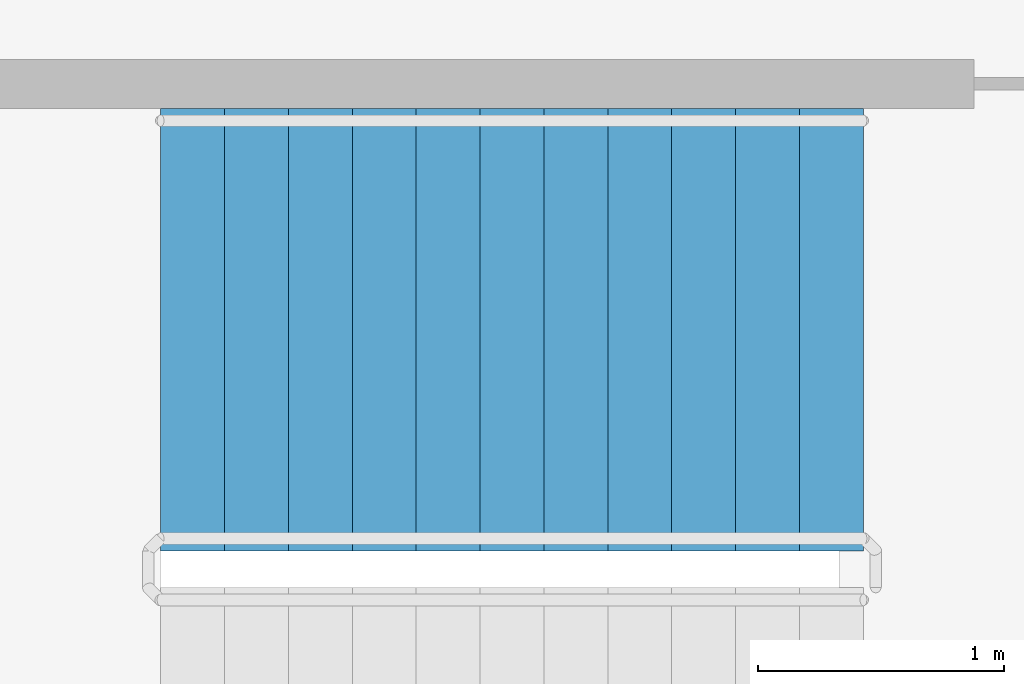
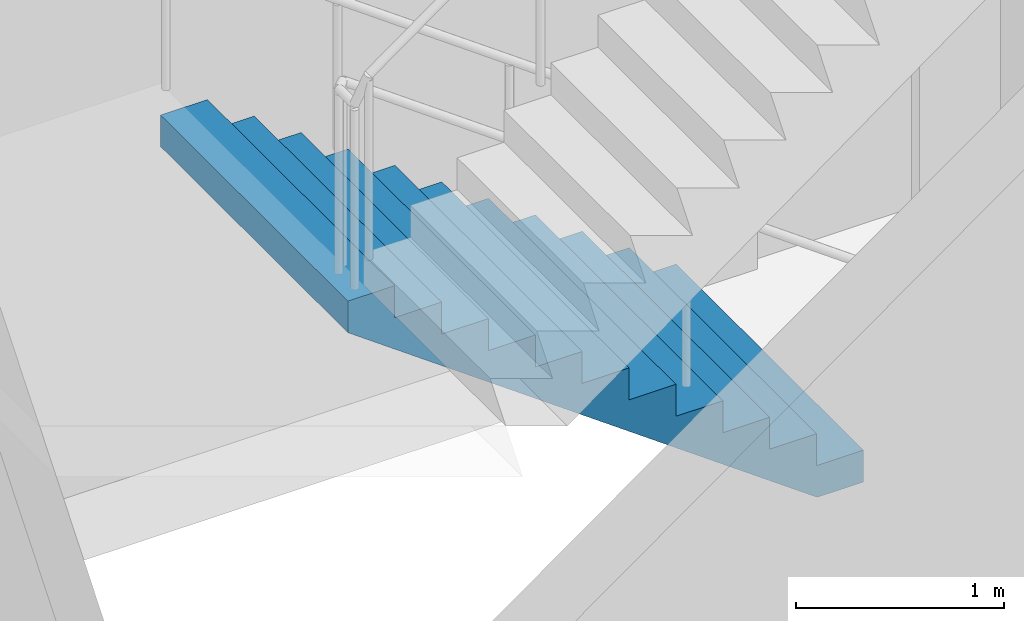
# One storey, part 42 of 51: 1 stair flight, 1 element without a shape of its own.
"""IFC4 building model written with IfcOpenShell, lengths in metres."""

from ifc_helpers import new_model, si_unit, direction, frame, origin, place, context, subcontext, project, spatial, faceted_brep, material, type_object, element, aggregate, save


model = new_model("IFC4")

# Units and contexts
model_context = context("Model", 3, precision=1e-05, world=origin(), true_north=direction((0.0, 1.0)))
body_context = subcontext(model_context, "Body", "Model", "MODEL_VIEW")
ifc_project = project(units=[si_unit("LENGTHUNIT", "METRE"), si_unit("AREAUNIT", "SQUARE_METRE"), si_unit("VOLUMEUNIT", "CUBIC_METRE"), si_unit("PLANEANGLEUNIT", "RADIAN"), si_unit("MASSUNIT", "GRAM", prefix="KILO")], contexts=[model_context])

# Site, building, storey
site_placement = place(None, origin())
site = spatial("IfcSite", under=ifc_project, at=site_placement, CompositionType="ELEMENT")
building_placement = place(site_placement, origin())
building = spatial("IfcBuilding", under=site, at=building_placement, Name="Ipe Terrace Towers", CompositionType="ELEMENT")
storey_placement = place(building_placement, frame((0.0, 0.0, 15.5)))
storey = spatial("IfcBuildingStorey", under=building, at=storey_placement, Name="L03", CompositionType="ELEMENT", Elevation=15.5)

# Stair, stair flight
ifc_material_1 = material(Name="Concrete C30/37", Category="concrete")
stair_type = type_object("IfcStairType", Name="Protected exit stair", PredefinedType="HALF_TURN_STAIR", material=ifc_material_1)
stair_placement = place(storey_placement, origin())
stair = element("IfcStair", 1, at=stair_placement, inside=storey, type_object=stair_type, Name="L03 Podium exit stair PS2", PredefinedType="HALF_TURN_STAIR")
ifc_material_2 = material(Name="Concrete C30/37", Category="concrete")
stair_flight_type = type_object("IfcStairFlightType", Name="Exit stair flight 1800", PredefinedType="STRAIGHT", material=ifc_material_2)
stair_flight_placement = place(storey_placement, frame((-0.75, 25.5, 0.0), z_axis=(0.0, 0.0, 1.0), x_axis=(-1.0, 0.0, 0.0)))
stair_flight = element("IfcStairFlight", 2, at=stair_flight_placement, type_object=stair_flight_type, Name="PS2 flight 1", NumberOfRisers=12, NumberOfTreads=11, PredefinedType="STRAIGHT", RiserHeight=0.1875, TreadLength=0.26, context=body_context, shape_type="Brep", body=[
    faceted_brep([(0.25634765625, -0.89990234375, 0.0), (2.860107421875, -0.89990234375, 1.877685546875), (2.860107421875, -0.89990234375, 2.0625), (2.60009765625, -0.89990234375, 2.0625), (2.60009765625, -0.89990234375, 1.875), (2.340087890625, -0.89990234375, 1.875), (2.340087890625, -0.89990234375, 1.6875), (2.080078125, -0.89990234375, 1.6875), (2.080078125, -0.89990234375, 1.5), (1.820068359375, -0.89990234375, 1.5), (1.820068359375, -0.89990234375, 1.3125), (1.56005859375, -0.89990234375, 1.3125), (1.56005859375, -0.89990234375, 1.125), (1.300048828125, -0.89990234375, 1.125), (1.300048828125, -0.89990234375, 0.9375), (1.0400390625, -0.89990234375, 0.9375), (1.0400390625, -0.89990234375, 0.75), (0.780029296875, -0.89990234375, 0.75), (0.780029296875, -0.89990234375, 0.5625), (0.52001953125, -0.89990234375, 0.5625), (0.52001953125, -0.89990234375, 0.375), (0.260009765625, -0.89990234375, 0.375), (0.260009765625, -0.89990234375, 0.1875), (0.0, -0.89990234375, 0.1875), (0.0, -0.89990234375, 0.0), (0.0, 0.89990234375, 0.0), (0.0, 0.89990234375, 0.1875), (0.260009765625, 0.89990234375, 0.1875), (0.260009765625, 0.89990234375, 0.375), (0.52001953125, 0.89990234375, 0.375), (0.52001953125, 0.89990234375, 0.5625), (0.780029296875, 0.89990234375, 0.5625), (0.780029296875, 0.89990234375, 0.75), (1.0400390625, 0.89990234375, 0.75), (1.0400390625, 0.89990234375, 0.9375), (1.300048828125, 0.89990234375, 0.9375), (1.300048828125, 0.89990234375, 1.125), (1.56005859375, 0.89990234375, 1.125), (1.56005859375, 0.89990234375, 1.3125), (1.820068359375, 0.89990234375, 1.3125), (1.820068359375, 0.89990234375, 1.5), (2.080078125, 0.89990234375, 1.5), (2.080078125, 0.89990234375, 1.6875), (2.340087890625, 0.89990234375, 1.6875), (2.340087890625, 0.89990234375, 1.875), (2.60009765625, 0.89990234375, 1.875), (2.60009765625, 0.89990234375, 2.0625), (2.860107421875, 0.89990234375, 2.0625), (2.860107421875, 0.89990234375, 1.877685546875), (0.25634765625, 0.89990234375, 0.0), (0.0, -0.300048828125, 0.1875), (0.0, -0.1201171875, 0.1875), (0.0, -0.06005859375, 0.1875), (0.0, -0.030029296875, 0.1875), (0.0, -0.010009765625, 0.1875), (0.0, 0.0, 0.1875), (0.0, 0.010009765625, 0.1875), (0.0, 0.030029296875, 0.1875), (0.0, 0.06005859375, 0.1875), (0.0, 0.1201171875, 0.1875), (0.0, 0.300048828125, 0.1875), (0.0, 0.300048828125, 0.0), (0.0, 0.1201171875, 0.0), (0.0, 0.06005859375, 0.0), (0.0, 0.030029296875, 0.0), (0.0, 0.010009765625, 0.0), (0.0, 0.0, 0.0), (0.0, -0.010009765625, 0.0), (0.0, -0.030029296875, 0.0), (0.0, -0.06005859375, 0.0), (0.0, -0.1201171875, 0.0), (0.0, -0.300048828125, 0.0), (0.260009765625, -0.300048828125, 0.1875), (0.260009765625, -0.1201171875, 0.1875), (0.260009765625, -0.06005859375, 0.1875), (0.260009765625, -0.030029296875, 0.1875), (0.260009765625, -0.010009765625, 0.1875), (0.260009765625, 0.0, 0.1875), (0.260009765625, 0.010009765625, 0.1875), (0.260009765625, 0.030029296875, 0.1875), (0.260009765625, 0.06005859375, 0.1875), (0.260009765625, 0.1201171875, 0.1875), (0.260009765625, 0.300048828125, 0.1875), (0.260009765625, -0.300048828125, 0.375), (0.260009765625, -0.1201171875, 0.375), (0.260009765625, -0.06005859375, 0.375), (0.260009765625, -0.030029296875, 0.375), (0.260009765625, -0.010009765625, 0.375), (0.260009765625, 0.0, 0.375), (0.260009765625, 0.010009765625, 0.375), (0.260009765625, 0.030029296875, 0.375), (0.260009765625, 0.06005859375, 0.375), (0.260009765625, 0.1201171875, 0.375), (0.260009765625, 0.300048828125, 0.375), (0.52001953125, -0.300048828125, 0.375), (0.52001953125, -0.1201171875, 0.375), (0.52001953125, -0.06005859375, 0.375), (0.52001953125, -0.030029296875, 0.375), (0.52001953125, -0.010009765625, 0.375), (0.52001953125, 0.0, 0.375), (0.52001953125, 0.010009765625, 0.375), (0.52001953125, 0.030029296875, 0.375), (0.52001953125, 0.06005859375, 0.375), (0.52001953125, 0.1201171875, 0.375), (0.52001953125, 0.300048828125, 0.375), (0.52001953125, -0.300048828125, 0.5625), (0.52001953125, -0.1201171875, 0.5625), (0.52001953125, -0.06005859375, 0.5625), (0.52001953125, -0.030029296875, 0.5625), (0.52001953125, -0.010009765625, 0.5625), (0.52001953125, 0.0, 0.5625), (0.52001953125, 0.010009765625, 0.5625), (0.52001953125, 0.030029296875, 0.5625), (0.52001953125, 0.06005859375, 0.5625), (0.52001953125, 0.1201171875, 0.5625), (0.52001953125, 0.300048828125, 0.5625), (0.780029296875, -0.300048828125, 0.5625), (0.780029296875, -0.1201171875, 0.5625), (0.780029296875, -0.06005859375, 0.5625), (0.780029296875, -0.030029296875, 0.5625), (0.780029296875, -0.010009765625, 0.5625), (0.780029296875, 0.0, 0.5625), (0.780029296875, 0.010009765625, 0.5625), (0.780029296875, 0.030029296875, 0.5625), (0.780029296875, 0.06005859375, 0.5625), (0.780029296875, 0.1201171875, 0.5625), (0.780029296875, 0.300048828125, 0.5625), (0.780029296875, -0.300048828125, 0.75), (0.780029296875, -0.1201171875, 0.75), (0.780029296875, -0.06005859375, 0.75), (0.780029296875, -0.030029296875, 0.75), (0.780029296875, -0.010009765625, 0.75), (0.780029296875, 0.0, 0.75), (0.780029296875, 0.010009765625, 0.75), (0.780029296875, 0.030029296875, 0.75), (0.780029296875, 0.06005859375, 0.75), (0.780029296875, 0.1201171875, 0.75), (0.780029296875, 0.300048828125, 0.75), (1.0400390625, -0.300048828125, 0.75), (1.0400390625, -0.1201171875, 0.75), (1.0400390625, -0.06005859375, 0.75), (1.0400390625, -0.030029296875, 0.75), (1.0400390625, -0.010009765625, 0.75), (1.0400390625, 0.0, 0.75), (1.0400390625, 0.010009765625, 0.75), (1.0400390625, 0.030029296875, 0.75), (1.0400390625, 0.06005859375, 0.75), (1.0400390625, 0.1201171875, 0.75), (1.0400390625, 0.300048828125, 0.75), (1.0400390625, -0.300048828125, 0.9375), (1.0400390625, -0.1201171875, 0.9375), (1.0400390625, -0.06005859375, 0.9375), (1.0400390625, -0.030029296875, 0.9375), (1.0400390625, -0.010009765625, 0.9375), (1.0400390625, 0.0, 0.9375), (1.0400390625, 0.010009765625, 0.9375), (1.0400390625, 0.030029296875, 0.9375), (1.0400390625, 0.06005859375, 0.9375), (1.0400390625, 0.1201171875, 0.9375), (1.0400390625, 0.300048828125, 0.9375), (1.300048828125, -0.300048828125, 0.9375), (1.300048828125, -0.1201171875, 0.9375), (1.300048828125, -0.06005859375, 0.9375), (1.300048828125, -0.030029296875, 0.9375), (1.300048828125, -0.010009765625, 0.9375), (1.300048828125, 0.0, 0.9375), (1.300048828125, 0.010009765625, 0.9375), (1.300048828125, 0.030029296875, 0.9375), (1.300048828125, 0.06005859375, 0.9375), (1.300048828125, 0.1201171875, 0.9375), (1.300048828125, 0.300048828125, 0.9375), (1.300048828125, -0.300048828125, 1.125), (1.300048828125, -0.1201171875, 1.125), (1.300048828125, -0.06005859375, 1.125), (1.300048828125, -0.030029296875, 1.125), (1.300048828125, -0.010009765625, 1.125), (1.300048828125, 0.0, 1.125), (1.300048828125, 0.010009765625, 1.125), (1.300048828125, 0.030029296875, 1.125), (1.300048828125, 0.06005859375, 1.125), (1.300048828125, 0.1201171875, 1.125), (1.300048828125, 0.300048828125, 1.125), (1.56005859375, -0.300048828125, 1.125), (1.56005859375, -0.1201171875, 1.125), (1.56005859375, -0.06005859375, 1.125), (1.56005859375, -0.030029296875, 1.125), (1.56005859375, -0.010009765625, 1.125), (1.56005859375, 0.0, 1.125), (1.56005859375, 0.010009765625, 1.125), (1.56005859375, 0.030029296875, 1.125), (1.56005859375, 0.06005859375, 1.125), (1.56005859375, 0.1201171875, 1.125), (1.56005859375, 0.300048828125, 1.125), (1.56005859375, -0.300048828125, 1.3125), (1.56005859375, -0.1201171875, 1.3125), (1.56005859375, -0.06005859375, 1.3125), (1.56005859375, -0.030029296875, 1.3125), (1.56005859375, -0.010009765625, 1.3125), (1.56005859375, 0.0, 1.3125), (1.56005859375, 0.010009765625, 1.3125), (1.56005859375, 0.030029296875, 1.3125), (1.56005859375, 0.06005859375, 1.3125), (1.56005859375, 0.1201171875, 1.3125), (1.56005859375, 0.300048828125, 1.3125), (1.820068359375, -0.300048828125, 1.3125), (1.820068359375, -0.1201171875, 1.3125), (1.820068359375, -0.06005859375, 1.3125), (1.820068359375, -0.030029296875, 1.3125), (1.820068359375, -0.010009765625, 1.3125), (1.820068359375, 0.0, 1.3125), (1.820068359375, 0.010009765625, 1.3125), (1.820068359375, 0.030029296875, 1.3125), (1.820068359375, 0.06005859375, 1.3125), (1.820068359375, 0.1201171875, 1.3125), (1.820068359375, 0.300048828125, 1.3125), (1.820068359375, -0.300048828125, 1.5), (1.820068359375, -0.1201171875, 1.5), (1.820068359375, -0.06005859375, 1.5), (1.820068359375, -0.030029296875, 1.5), (1.820068359375, -0.010009765625, 1.5), (1.820068359375, 0.0, 1.5), (1.820068359375, 0.010009765625, 1.5), (1.820068359375, 0.030029296875, 1.5), (1.820068359375, 0.06005859375, 1.5), (1.820068359375, 0.1201171875, 1.5), (1.820068359375, 0.300048828125, 1.5), (2.080078125, -0.300048828125, 1.5), (2.080078125, -0.1201171875, 1.5), (2.080078125, -0.06005859375, 1.5), (2.080078125, -0.030029296875, 1.5), (2.080078125, -0.010009765625, 1.5), (2.080078125, 0.0, 1.5), (2.080078125, 0.010009765625, 1.5), (2.080078125, 0.030029296875, 1.5), (2.080078125, 0.06005859375, 1.5), (2.080078125, 0.1201171875, 1.5), (2.080078125, 0.300048828125, 1.5), (2.080078125, -0.300048828125, 1.6875), (2.080078125, -0.1201171875, 1.6875), (2.080078125, -0.06005859375, 1.6875), (2.080078125, -0.030029296875, 1.6875), (2.080078125, -0.010009765625, 1.6875), (2.080078125, 0.0, 1.6875), (2.080078125, 0.010009765625, 1.6875), (2.080078125, 0.030029296875, 1.6875), (2.080078125, 0.06005859375, 1.6875), (2.080078125, 0.1201171875, 1.6875), (2.080078125, 0.300048828125, 1.6875), (2.340087890625, -0.300048828125, 1.6875), (2.340087890625, -0.1201171875, 1.6875), (2.340087890625, -0.06005859375, 1.6875), (2.340087890625, -0.030029296875, 1.6875), (2.340087890625, -0.010009765625, 1.6875), (2.340087890625, 0.0, 1.6875), (2.340087890625, 0.010009765625, 1.6875), (2.340087890625, 0.030029296875, 1.6875), (2.340087890625, 0.06005859375, 1.6875), (2.340087890625, 0.1201171875, 1.6875), (2.340087890625, 0.300048828125, 1.6875), (2.340087890625, -0.300048828125, 1.875), (2.340087890625, -0.1201171875, 1.875), (2.340087890625, -0.06005859375, 1.875), (2.340087890625, -0.030029296875, 1.875), (2.340087890625, -0.010009765625, 1.875), (2.340087890625, 0.0, 1.875), (2.340087890625, 0.010009765625, 1.875), (2.340087890625, 0.030029296875, 1.875), (2.340087890625, 0.06005859375, 1.875), (2.340087890625, 0.1201171875, 1.875), (2.340087890625, 0.300048828125, 1.875), (2.60009765625, -0.300048828125, 1.875), (2.60009765625, -0.1201171875, 1.875), (2.60009765625, -0.06005859375, 1.875), (2.60009765625, -0.030029296875, 1.875), (2.60009765625, -0.010009765625, 1.875), (2.60009765625, 0.0, 1.875), (2.60009765625, 0.010009765625, 1.875), (2.60009765625, 0.030029296875, 1.875), (2.60009765625, 0.06005859375, 1.875), (2.60009765625, 0.1201171875, 1.875), (2.60009765625, 0.300048828125, 1.875), (2.60009765625, -0.300048828125, 2.0625), (2.60009765625, -0.1201171875, 2.0625), (2.60009765625, -0.06005859375, 2.0625), (2.60009765625, -0.030029296875, 2.0625), (2.60009765625, -0.010009765625, 2.0625), (2.60009765625, 0.0, 2.0625), (2.60009765625, 0.010009765625, 2.0625), (2.60009765625, 0.030029296875, 2.0625), (2.60009765625, 0.06005859375, 2.0625), (2.60009765625, 0.1201171875, 2.0625), (2.60009765625, 0.300048828125, 2.0625), (2.860107421875, -0.300048828125, 2.0625), (2.860107421875, -0.1201171875, 2.0625), (2.860107421875, -0.06005859375, 2.0625), (2.860107421875, -0.030029296875, 2.0625), (2.860107421875, -0.010009765625, 2.0625), (2.860107421875, 0.0, 2.0625), (2.860107421875, 0.010009765625, 2.0625), (2.860107421875, 0.030029296875, 2.0625), (2.860107421875, 0.06005859375, 2.0625), (2.860107421875, 0.1201171875, 2.0625), (2.860107421875, 0.300048828125, 2.0625), (2.860107421875, -0.300048828125, 1.877685546875), (2.860107421875, -0.1201171875, 1.877685546875), (2.860107421875, -0.06005859375, 1.877685546875), (2.860107421875, -0.030029296875, 1.877685546875), (2.860107421875, -0.010009765625, 1.877685546875), (2.860107421875, 0.0, 1.877685546875), (2.860107421875, 0.010009765625, 1.877685546875), (2.860107421875, 0.030029296875, 1.877685546875), (2.860107421875, 0.06005859375, 1.877685546875), (2.860107421875, 0.1201171875, 1.877685546875), (2.860107421875, 0.300048828125, 1.877685546875), (0.25634765625, -0.300048828125, 0.0), (0.25634765625, -0.1201171875, 0.0), (0.25634765625, -0.06005859375, 0.0), (0.25634765625, -0.030029296875, 0.0), (0.25634765625, -0.010009765625, 0.0), (0.25634765625, 0.0, 0.0), (0.25634765625, 0.010009765625, 0.0), (0.25634765625, 0.030029296875, 0.0), (0.25634765625, 0.06005859375, 0.0), (0.25634765625, 0.1201171875, 0.0), (0.25634765625, 0.300048828125, 0.0)], [[[0, 1, 2, 3, 4, 5, 6, 7, 8, 9, 10, 11, 12, 13, 14, 15, 16, 17, 18, 19, 20, 21, 22, 23, 24]], [[25, 26, 27, 28, 29, 30, 31, 32, 33, 34, 35, 36, 37, 38, 39, 40, 41, 42, 43, 44, 45, 46, 47, 48, 49]], [[23, 50, 51, 52, 53, 54, 55, 56, 57, 58, 59, 60, 26, 25, 61, 62, 63, 64, 65, 66, 67, 68, 69, 70, 71, 24]], [[22, 72, 73, 74, 75, 76, 77, 78, 79, 80, 81, 82, 27, 26, 60, 59, 58, 57, 56, 55, 54, 53, 52, 51, 50, 23]], [[21, 83, 84, 85, 86, 87, 88, 89, 90, 91, 92, 93, 28, 27, 82, 81, 80, 79, 78, 77, 76, 75, 74, 73, 72, 22]], [[20, 94, 95, 96, 97, 98, 99, 100, 101, 102, 103, 104, 29, 28, 93, 92, 91, 90, 89, 88, 87, 86, 85, 84, 83, 21]], [[19, 105, 106, 107, 108, 109, 110, 111, 112, 113, 114, 115, 30, 29, 104, 103, 102, 101, 100, 99, 98, 97, 96, 95, 94, 20]], [[18, 116, 117, 118, 119, 120, 121, 122, 123, 124, 125, 126, 31, 30, 115, 114, 113, 112, 111, 110, 109, 108, 107, 106, 105, 19]], [[17, 127, 128, 129, 130, 131, 132, 133, 134, 135, 136, 137, 32, 31, 126, 125, 124, 123, 122, 121, 120, 119, 118, 117, 116, 18]], [[16, 138, 139, 140, 141, 142, 143, 144, 145, 146, 147, 148, 33, 32, 137, 136, 135, 134, 133, 132, 131, 130, 129, 128, 127, 17]], [[15, 149, 150, 151, 152, 153, 154, 155, 156, 157, 158, 159, 34, 33, 148, 147, 146, 145, 144, 143, 142, 141, 140, 139, 138, 16]], [[14, 160, 161, 162, 163, 164, 165, 166, 167, 168, 169, 170, 35, 34, 159, 158, 157, 156, 155, 154, 153, 152, 151, 150, 149, 15]], [[13, 171, 172, 173, 174, 175, 176, 177, 178, 179, 180, 181, 36, 35, 170, 169, 168, 167, 166, 165, 164, 163, 162, 161, 160, 14]], [[12, 182, 183, 184, 185, 186, 187, 188, 189, 190, 191, 192, 37, 36, 181, 180, 179, 178, 177, 176, 175, 174, 173, 172, 171, 13]], [[11, 193, 194, 195, 196, 197, 198, 199, 200, 201, 202, 203, 38, 37, 192, 191, 190, 189, 188, 187, 186, 185, 184, 183, 182, 12]], [[10, 204, 205, 206, 207, 208, 209, 210, 211, 212, 213, 214, 39, 38, 203, 202, 201, 200, 199, 198, 197, 196, 195, 194, 193, 11]], [[9, 215, 216, 217, 218, 219, 220, 221, 222, 223, 224, 225, 40, 39, 214, 213, 212, 211, 210, 209, 208, 207, 206, 205, 204, 10]], [[8, 226, 227, 228, 229, 230, 231, 232, 233, 234, 235, 236, 41, 40, 225, 224, 223, 222, 221, 220, 219, 218, 217, 216, 215, 9]], [[7, 237, 238, 239, 240, 241, 242, 243, 244, 245, 246, 247, 42, 41, 236, 235, 234, 233, 232, 231, 230, 229, 228, 227, 226, 8]], [[6, 248, 249, 250, 251, 252, 253, 254, 255, 256, 257, 258, 43, 42, 247, 246, 245, 244, 243, 242, 241, 240, 239, 238, 237, 7]], [[5, 259, 260, 261, 262, 263, 264, 265, 266, 267, 268, 269, 44, 43, 258, 257, 256, 255, 254, 253, 252, 251, 250, 249, 248, 6]], [[4, 270, 271, 272, 273, 274, 275, 276, 277, 278, 279, 280, 45, 44, 269, 268, 267, 266, 265, 264, 263, 262, 261, 260, 259, 5]], [[3, 281, 282, 283, 284, 285, 286, 287, 288, 289, 290, 291, 46, 45, 280, 279, 278, 277, 276, 275, 274, 273, 272, 271, 270, 4]], [[2, 292, 293, 294, 295, 296, 297, 298, 299, 300, 301, 302, 47, 46, 291, 290, 289, 288, 287, 286, 285, 284, 283, 282, 281, 3]], [[1, 303, 304, 305, 306, 307, 308, 309, 310, 311, 312, 313, 48, 47, 302, 301, 300, 299, 298, 297, 296, 295, 294, 293, 292, 2]], [[0, 314, 315, 316, 317, 318, 319, 320, 321, 322, 323, 324, 49, 48, 313, 312, 311, 310, 309, 308, 307, 306, 305, 304, 303, 1]], [[24, 71, 70, 69, 68, 67, 66, 65, 64, 63, 62, 61, 25, 49, 324, 323, 322, 321, 320, 319, 318, 317, 316, 315, 314, 0]]]),
])
aggregate(stair, [stair_flight])

save(model, "model.ifc")
